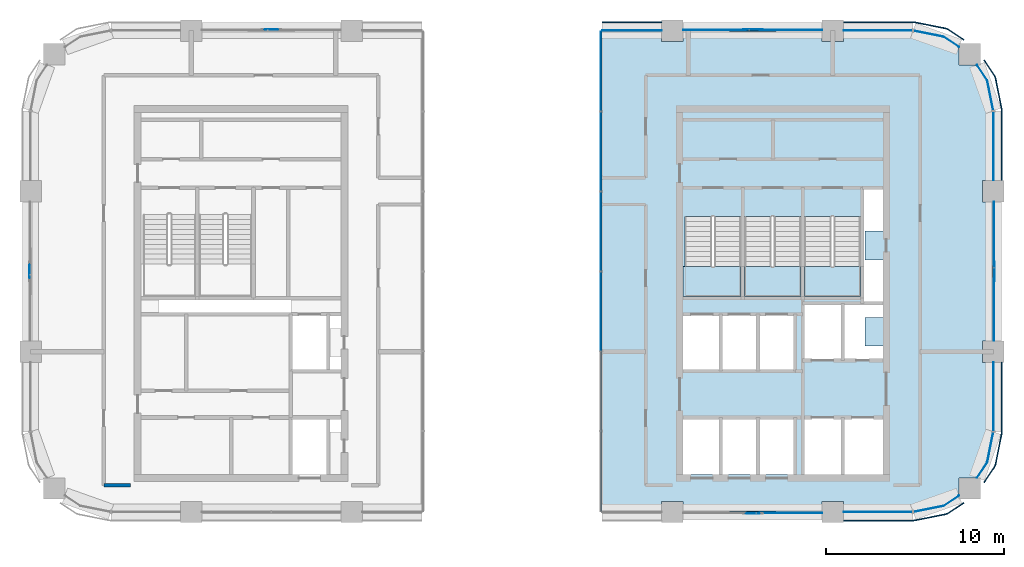
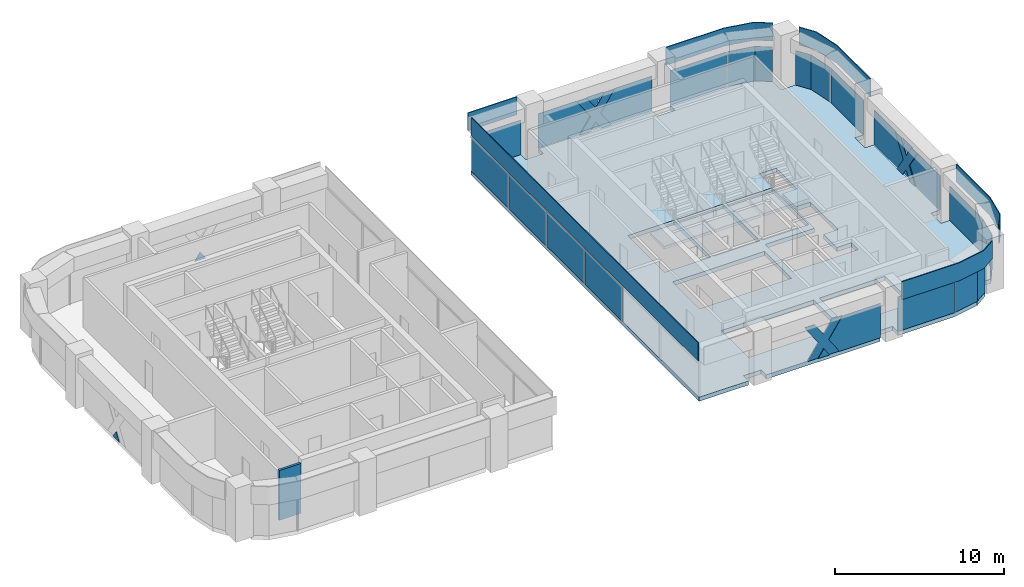
# One storey, part 5 of 16: 34 plates, 4 slabs, 1 wall, 14 elements without a shape of their own.
"""IFC4 building model written with IfcOpenShell, lengths in metres."""

from ifc_helpers import new_model, si_unit, direction, frame, frame_2d, origin, origin_2d, place, context, subcontext, project, spatial, polyline, rectangle, outline, extrude, material, layer, layer_set, type_object, element, aggregate, save


model = new_model("IFC4")

# Units and contexts
model_context = context("Model", 3, precision=1e-05, world=origin(), true_north=direction((0.0, 1.0)))
body_context = subcontext(model_context, "Body", "Model", "MODEL_VIEW")
ifc_project = project(units=[si_unit("LENGTHUNIT", "METRE"), si_unit("AREAUNIT", "SQUARE_METRE"), si_unit("VOLUMEUNIT", "CUBIC_METRE"), si_unit("PLANEANGLEUNIT", "RADIAN"), si_unit("MASSUNIT", "GRAM", prefix="KILO")], contexts=[model_context])

# Site, building, storey
site_placement = place(None, origin())
site = spatial("IfcSite", under=ifc_project, at=site_placement, CompositionType="ELEMENT")
building_placement = place(site_placement, origin())
building = spatial("IfcBuilding", under=site, at=building_placement, Name="Tessera Arch", CompositionType="ELEMENT")
storey_placement = place(building_placement, frame((0.0, 0.0, 218.89990234375)))
storey = spatial("IfcBuildingStorey", under=building, at=storey_placement, Name="L52", CompositionType="ELEMENT", Elevation=218.89990234375)

# Curtain wall, plates
ifc_material_1 = material(Name="CW1 curtain wall")
curtain_wall_type_1 = type_object("IfcCurtainWallType", Name="CW1 curtain wall", PredefinedType="NOTDEFINED", material=ifc_material_1)
curtain_wall_1_placement = place(storey_placement, origin())
curtain_wall_1 = element("IfcCurtainWall", 1, at=curtain_wall_1_placement, inside=storey, type_object=curtain_wall_type_1, Name="CW1 curtain wall N54.32/2 L52", PredefinedType="NOTDEFINED")
ifc_material_2 = material(Name="Clear low-e glass", Category="glass")
ifc_material_3 = material(Name="Clear low-e glass", Category="glass")
ifc_layer_1 = layer(ifc_material_3, 0.028076171875)
ifc_layer_set_1 = layer_set([ifc_layer_1], Name="CW1 glass panel")
plate_type_1 = type_object("IfcPlateType", Name="CW1 glass panel", PredefinedType="CURTAIN_PANEL", material=ifc_layer_set_1)
plate_1_placement = place(storey_placement, frame((33.72509765625, 54.0, 0.0), z_axis=(0.0, 0.0, 1.0), x_axis=(-1.0, 0.0, 0.0)))
plate_1 = element("IfcPlate", 2, at=plate_1_placement, type_object=plate_type_1, material=ifc_material_2, Name="CW1 glass panel N54.32/2 1.1.1", PredefinedType="CURTAIN_PANEL", context=body_context, shape_type="SweptSolid", body=[
    extrude(rectangle(XDim=3.35009765625, YDim=0.028076171875, at=origin_2d()), origin(), (0.0, 0.0, 1.0), 2.5),
])
ifc_material_4 = material(Name="Pale anodised aluminium panel", Category="aluminium")
ifc_layer_2 = layer(ifc_material_4, 0.06005859375)
ifc_layer_set_2 = layer_set([ifc_layer_2], Name="CW1 spandrel panel")
plate_type_2 = type_object("IfcPlateType", Name="CW1 spandrel panel", PredefinedType="CURTAIN_PANEL", material=ifc_layer_set_2)
plate_2_placement = place(storey_placement, frame((33.72509765625, 54.47998046875, 2.60009765625), z_axis=(0.0, 0.0, 1.0), x_axis=(-1.0, 0.0, 0.0)))
plate_2 = element("IfcPlate", 3, at=plate_2_placement, type_object=plate_type_2, Name="CW1 spandrel panel N54.32/2", PredefinedType="CURTAIN_PANEL", context=body_context, shape_type="SweptSolid", body=[
    extrude(rectangle(XDim=3.35009765625, YDim=0.06005859375, at=origin_2d()), origin(), (0.0, 0.0, 1.0), 1.300048828125),
])
aggregate(curtain_wall_1, [plate_1, plate_2])

ifc_material_5 = material(Name="CW2 curtain wall")
curtain_wall_type_2 = type_object("IfcCurtainWallType", Name="CW2 curtain wall", PredefinedType="NOTDEFINED", material=ifc_material_5)
curtain_wall_2_placement = place(storey_placement, origin())
curtain_wall_2 = element("IfcCurtainWall", 4, at=curtain_wall_2_placement, inside=storey, type_object=curtain_wall_type_2, Name="CW2 curtain wall S27.32/2 L52", PredefinedType="NOTDEFINED")
ifc_material_6 = material(Name="Clear low-e glass", Category="glass")
ifc_layer_3 = layer(ifc_material_6, 0.028076171875)
ifc_layer_set_3 = layer_set([ifc_layer_3], Name="CW2 glass panel")
plate_type_3 = type_object("IfcPlateType", Name="CW2 glass panel", PredefinedType="CURTAIN_PANEL", material=ifc_layer_set_3)
plate_3_placement = place(storey_placement, frame((47.530029296875, 27.0, 0.0), z_axis=(0.0, 0.0, 1.0), x_axis=(1.0, 0.0, 0.0)))
plate_3 = element("IfcPlate", 5, at=plate_3_placement, type_object=plate_type_3, material=ifc_material_2, Name="CW2 glass panel S27.32/2 1.1", PredefinedType="CURTAIN_PANEL", context=body_context, shape_type="SweptSolid", body=[
    extrude(rectangle(XDim=3.860107421875, YDim=0.028076171875, at=origin_2d()), origin(), (0.0, 0.0, 1.0), 2.5),
])
plate_4_placement = place(storey_placement, origin())
plate_4 = element("IfcPlate", 6, at=plate_4_placement, type_object=plate_type_3, material=ifc_material_2, Name="CW2 curved glass panel S27.32/2 2.1", PredefinedType="CURTAIN_PANEL", context=body_context, shape_type="SweptSolid", body=[
    extrude(outline(polyline([(51.216552734375, 27.355712890625), (49.53662109375, 27.021484375), (49.5419921875, 26.994140625), (51.2275390625, 27.329345703125), (52.08984375, 27.905517578125), (52.07421875, 27.9287109375), (51.216552734375, 27.355712890625)])), origin(), (0.0, 0.0, 1.0), 2.5),
])

curtain_wall_3_placement = place(storey_placement, origin())
curtain_wall_3 = element("IfcCurtainWall", 7, at=curtain_wall_3_placement, inside=storey, type_object=curtain_wall_type_2, Name="CW2 curtain wall E54.27/0 L52", PredefinedType="NOTDEFINED")
plate_5_placement = place(storey_placement, frame((54.0, 33.469970703125, 0.0), z_axis=(0.0, 0.0, 1.0), x_axis=(0.0, 1.0, 0.0)))
plate_5 = element("IfcPlate", 8, at=plate_5_placement, type_object=plate_type_3, material=ifc_material_2, Name="CW2 glass panel E54.27/0 1.1", PredefinedType="CURTAIN_PANEL", context=body_context, shape_type="SweptSolid", body=[
    extrude(rectangle(XDim=3.860107421875, YDim=0.028076171875, at=origin_2d()), origin(), (0.0, 0.0, 1.0), 2.5),
])
plate_6_placement = place(storey_placement, origin())
plate_6 = element("IfcPlate", 9, at=plate_6_placement, type_object=plate_type_3, material=ifc_material_2, Name="CW2 curved glass panel E54.27/0 2.1", PredefinedType="CURTAIN_PANEL", context=body_context, shape_type="SweptSolid", body=[
    extrude(outline(polyline([(53.644287109375, 29.783447265625), (53.0712890625, 28.92578125), (53.094482421875, 28.91015625), (53.670654296875, 29.7724609375), (54.005859375, 31.4580078125), (53.978515625, 31.46337890625), (53.644287109375, 29.783447265625)])), origin(), (0.0, 0.0, 1.0), 2.5),
])

curtain_wall_4_placement = place(storey_placement, origin())
curtain_wall_4 = element("IfcCurtainWall", 10, at=curtain_wall_4_placement, inside=storey, type_object=curtain_wall_type_2, Name="CW2 curtain wall E54.27/2 L52", PredefinedType="NOTDEFINED")
plate_7_placement = place(storey_placement, frame((54.0, 47.530029296875, 0.0), z_axis=(0.0, 0.0, 1.0), x_axis=(0.0, 1.0, 0.0)))
plate_7 = element("IfcPlate", 11, at=plate_7_placement, type_object=plate_type_3, material=ifc_material_2, Name="CW2 glass panel E54.27/2 1.1", PredefinedType="CURTAIN_PANEL", context=body_context, shape_type="SweptSolid", body=[
    extrude(rectangle(XDim=3.860107421875, YDim=0.028076171875, at=origin_2d()), origin(), (0.0, 0.0, 1.0), 2.5),
])
plate_8_placement = place(storey_placement, origin())
plate_8 = element("IfcPlate", 12, at=plate_8_placement, type_object=plate_type_3, material=ifc_material_2, Name="CW2 curved glass panel E54.27/2 2.1", PredefinedType="CURTAIN_PANEL", context=body_context, shape_type="SweptSolid", body=[
    extrude(outline(polyline([(53.644287109375, 51.216552734375), (53.978515625, 49.53662109375), (54.005859375, 49.5419921875), (53.670654296875, 51.2275390625), (53.094482421875, 52.08984375), (53.0712890625, 52.07421875), (53.644287109375, 51.216552734375)])), origin(), (0.0, 0.0, 1.0), 2.5),
])

curtain_wall_5_placement = place(storey_placement, origin())
curtain_wall_5 = element("IfcCurtainWall", 13, at=curtain_wall_5_placement, inside=storey, type_object=curtain_wall_type_2, Name="CW2 curtain wall N54.32/0 L52", PredefinedType="NOTDEFINED")
plate_9_placement = place(storey_placement, frame((47.530029296875, 54.0, 0.0), z_axis=(0.0, 0.0, 1.0), x_axis=(-1.0, 0.0, 0.0)))
plate_9 = element("IfcPlate", 14, at=plate_9_placement, type_object=plate_type_3, material=ifc_material_2, Name="CW2 glass panel N54.32/0 1.1", PredefinedType="CURTAIN_PANEL", context=body_context, shape_type="SweptSolid", body=[
    extrude(rectangle(XDim=3.860107421875, YDim=0.028076171875, at=origin_2d()), origin(), (0.0, 0.0, 1.0), 2.5),
])
plate_10_placement = place(storey_placement, origin())
plate_10 = element("IfcPlate", 15, at=plate_10_placement, type_object=plate_type_3, material=ifc_material_2, Name="CW2 curved glass panel N54.32/0 2.1", PredefinedType="CURTAIN_PANEL", context=body_context, shape_type="SweptSolid", body=[
    extrude(outline(polyline([(51.216552734375, 53.644287109375), (52.07421875, 53.0712890625), (52.08984375, 53.094482421875), (51.2275390625, 53.670654296875), (49.5419921875, 54.005859375), (49.53662109375, 53.978515625), (51.216552734375, 53.644287109375)])), origin(), (0.0, 0.0, 1.0), 2.5),
])

# Plate
ifc_material_7 = material(Name="Pale anodised aluminium panel", Category="aluminium")
ifc_layer_4 = layer(ifc_material_7, 0.06005859375)
ifc_layer_set_4 = layer_set([ifc_layer_4], Name="CW2 spandrel panel")
plate_type_4 = type_object("IfcPlateType", Name="CW2 spandrel panel", PredefinedType="CURTAIN_PANEL", material=ifc_layer_set_4)
plate_11_placement = place(storey_placement, frame((0.0, 0.0, 2.60009765625)))
plate_11 = element("IfcPlate", 16, at=plate_11_placement, type_object=plate_type_4, Name="CW2 spandrel panel S27.32/2", PredefinedType="CURTAIN_PANEL", context=body_context, shape_type="SweptSolid", body=[
    extrude(outline(polyline([(49.499267578125, 26.550048828125), (45.60009765625, 26.550048828125), (45.60009765625, 26.489990234375), (49.500732421875, 26.489990234375), (49.550048828125, 26.492431640625), (49.598876953125, 26.499755859375), (51.322265625, 26.842529296875), (51.3701171875, 26.8544921875), (51.417236328125, 26.871337890625), (51.462646484375, 26.892578125), (51.5048828125, 26.91796875), (52.365234375, 27.4931640625), (52.33203125, 27.54296875), (51.47265625, 26.96875), (51.434326171875, 26.945556640625), (51.394287109375, 26.9267578125), (51.352783203125, 26.911865234375), (51.30908203125, 26.90087890625), (49.588623046875, 26.558837890625), (49.544189453125, 26.55224609375), (49.499267578125, 26.550048828125)])), origin(), (0.0, 0.0, 1.0), 1.300048828125),
])

aggregate(curtain_wall_2, [plate_3, plate_4, plate_11])

plate_12_placement = place(storey_placement, frame((0.0, 0.0, 2.60009765625)))
plate_12 = element("IfcPlate", 17, at=plate_12_placement, type_object=plate_type_4, Name="CW2 spandrel panel E54.27/0", PredefinedType="CURTAIN_PANEL", context=body_context, shape_type="SweptSolid", body=[
    extrude(outline(polyline([(54.03125, 29.52734375), (53.45703125, 28.66796875), (53.5068359375, 28.634765625), (54.08203125, 29.4951171875), (54.107421875, 29.537353515625), (54.128662109375, 29.582763671875), (54.1455078125, 29.6298828125), (54.157470703125, 29.677734375), (54.500244140625, 31.401123046875), (54.507568359375, 31.449951171875), (54.510009765625, 31.499267578125), (54.510009765625, 35.39990234375), (54.449951171875, 35.39990234375), (54.449951171875, 31.500732421875), (54.44775390625, 31.455810546875), (54.441162109375, 31.411376953125), (54.09912109375, 29.69091796875), (54.088134765625, 29.647216796875), (54.0732421875, 29.605712890625), (54.054443359375, 29.565673828125), (54.03125, 29.52734375)])), origin(), (0.0, 0.0, 1.0), 1.300048828125),
])

aggregate(curtain_wall_3, [plate_5, plate_6, plate_12])

plate_13_placement = place(storey_placement, frame((0.0, 0.0, 2.60009765625)))
plate_13 = element("IfcPlate", 18, at=plate_13_placement, type_object=plate_type_4, Name="CW2 spandrel panel E54.27/2", PredefinedType="CURTAIN_PANEL", context=body_context, shape_type="SweptSolid", body=[
    extrude(outline(polyline([(54.449951171875, 49.499267578125), (54.449951171875, 45.60009765625), (54.510009765625, 45.60009765625), (54.510009765625, 49.500732421875), (54.507568359375, 49.550048828125), (54.500244140625, 49.598876953125), (54.157470703125, 51.322265625), (54.1455078125, 51.3701171875), (54.128662109375, 51.417236328125), (54.107421875, 51.462646484375), (54.08203125, 51.5048828125), (53.5068359375, 52.365234375), (53.45703125, 52.33203125), (54.03125, 51.47265625), (54.054443359375, 51.434326171875), (54.0732421875, 51.394287109375), (54.088134765625, 51.352783203125), (54.09912109375, 51.30908203125), (54.441162109375, 49.588623046875), (54.44775390625, 49.544189453125), (54.449951171875, 49.499267578125)])), origin(), (0.0, 0.0, 1.0), 1.300048828125),
])

aggregate(curtain_wall_4, [plate_7, plate_8, plate_13])

plate_14_placement = place(storey_placement, frame((0.0, 0.0, 2.60009765625)))
plate_14 = element("IfcPlate", 19, at=plate_14_placement, type_object=plate_type_4, Name="CW2 spandrel panel N54.32/0", PredefinedType="CURTAIN_PANEL", context=body_context, shape_type="SweptSolid", body=[
    extrude(outline(polyline([(51.47265625, 54.03125), (52.33203125, 53.45703125), (52.365234375, 53.5068359375), (51.5048828125, 54.08203125), (51.462646484375, 54.107421875), (51.417236328125, 54.128662109375), (51.3701171875, 54.1455078125), (51.322265625, 54.157470703125), (49.598876953125, 54.500244140625), (49.550048828125, 54.507568359375), (49.500732421875, 54.510009765625), (45.60009765625, 54.510009765625), (45.60009765625, 54.449951171875), (49.499267578125, 54.449951171875), (49.544189453125, 54.44775390625), (49.588623046875, 54.441162109375), (51.30908203125, 54.09912109375), (51.352783203125, 54.088134765625), (51.394287109375, 54.0732421875), (51.434326171875, 54.054443359375), (51.47265625, 54.03125)])), origin(), (0.0, 0.0, 1.0), 1.300048828125),
])

aggregate(curtain_wall_5, [plate_9, plate_10, plate_14])

# Curtain wall, plate
ifc_material_8 = material(Name="CW3 curtain wall")
curtain_wall_type_3 = type_object("IfcCurtainWallType", Name="CW3 curtain wall", PredefinedType="NOTDEFINED", material=ifc_material_8)
curtain_wall_6_placement = place(storey_placement, origin())
curtain_wall_6 = element("IfcCurtainWall", 20, at=curtain_wall_6_placement, inside=storey, type_object=curtain_wall_type_3, Name="CW3 curtain wall S27.32/1 L52", PredefinedType="NOTDEFINED")
ifc_material_9 = material(Name="Pale anodised aluminium panel", Category="aluminium")
ifc_layer_5 = layer(ifc_material_9, 0.06005859375)
ifc_layer_set_5 = layer_set([ifc_layer_5], Name="CW3 diagonal panel")
plate_type_5 = type_object("IfcPlateType", Name="CW3 diagonal panel", PredefinedType="CURTAIN_PANEL", material=ifc_layer_set_5)
plate_15_placement = place(storey_placement, frame((41.7890625, 26.969970703125, 2.5), z_axis=(0.0, -1.0, 0.0), x_axis=(-1.0, 0.0, 0.0)))
plate_15 = element("IfcPlate", 21, at=plate_15_placement, type_object=plate_type_5, Name="CW3 diagonal panel S27.32/1 1", PredefinedType="CURTAIN_PANEL", context=body_context, shape_type="SweptSolid", body=[
    extrude(outline(polyline([(0.0, 0.0), (0.6953125, 0.0), (1.2890625, 0.8828125), (1.8828125, 0.0), (2.578125, 0.0), (1.63671875, 1.39990234375), (2.37646484375, 2.5), (1.680908203125, 2.5), (1.2890625, 1.9169921875), (0.897216796875, 2.5), (0.20166015625, 2.5), (0.94140625, 1.39990234375), (0.0, 0.0)])), origin(), (0.0, 0.0, -1.0), 0.06005859375),
])

curtain_wall_7_placement = place(storey_placement, origin())
curtain_wall_7 = element("IfcCurtainWall", 22, at=curtain_wall_7_placement, inside=storey, type_object=curtain_wall_type_3, Name="CW3 curtain wall E54.27/1 L52", PredefinedType="NOTDEFINED")
plate_16_placement = place(storey_placement, frame((54.030029296875, 41.7890625, 2.5), z_axis=(1.0, 0.0, 0.0), x_axis=(0.0, -1.0, 0.0)))
plate_16 = element("IfcPlate", 23, at=plate_16_placement, type_object=plate_type_5, Name="CW3 diagonal panel E54.27/1 1", PredefinedType="CURTAIN_PANEL", context=body_context, shape_type="SweptSolid", body=[
    extrude(outline(polyline([(0.0, 0.0), (0.6953125, 0.0), (1.2890625, 0.8828125), (1.8828125, 0.0), (2.578125, 0.0), (1.63671875, 1.39990234375), (2.37646484375, 2.5), (1.680908203125, 2.5), (1.2890625, 1.9169921875), (0.897216796875, 2.5), (0.20166015625, 2.5), (0.94140625, 1.39990234375), (0.0, 0.0)])), origin(), (0.0, 0.0, -1.0), 0.06005859375),
])

curtain_wall_8_placement = place(storey_placement, origin())
curtain_wall_8 = element("IfcCurtainWall", 24, at=curtain_wall_8_placement, inside=storey, type_object=curtain_wall_type_3, Name="CW3 curtain wall N54.32/1 L52", PredefinedType="NOTDEFINED")
plate_17_placement = place(storey_placement, frame((39.2109375, 54.030029296875, 2.5), z_axis=(0.0, 1.0, 0.0), x_axis=(1.0, 0.0, 0.0)))
plate_17 = element("IfcPlate", 25, at=plate_17_placement, type_object=plate_type_5, Name="CW3 diagonal panel N54.32/1 1", PredefinedType="CURTAIN_PANEL", context=body_context, shape_type="SweptSolid", body=[
    extrude(outline(polyline([(0.0, 0.0), (0.6953125, 0.0), (1.2890625, 0.8828125), (1.8828125, 0.0), (2.578125, 0.0), (1.63671875, 1.39990234375), (2.37646484375, 2.5), (1.680908203125, 2.5), (1.2890625, 1.9169921875), (0.897216796875, 2.5), (0.20166015625, 2.5), (0.94140625, 1.39990234375), (0.0, 0.0)])), origin(), (0.0, 0.0, -1.0), 0.06005859375),
])

curtain_wall_9_placement = place(storey_placement, origin())
curtain_wall_9 = element("IfcCurtainWall", 26, at=curtain_wall_9_placement, inside=storey, type_object=curtain_wall_type_3, Name="CW3 curtain wall N54.0/1 L52", PredefinedType="NOTDEFINED")
ifc_material_10 = material(Name="Clear low-e glass", Category="glass")
ifc_layer_6 = layer(ifc_material_10, 0.028076171875)
ifc_layer_set_6 = layer_set([ifc_layer_6], Name="CW3 glass panel")
plate_type_6 = type_object("IfcPlateType", Name="CW3 glass panel", PredefinedType="CURTAIN_PANEL", material=ifc_layer_set_6)
plate_18_placement = place(storey_placement, frame((13.891845703125, 54.0859375, 0.0), z_axis=(0.0, 1.0, 0.0), x_axis=(-1.0, 0.0, 0.0)))
plate_18 = element("IfcPlate", 27, at=plate_18_placement, type_object=plate_type_6, material=ifc_material_2, Name="CW3 triangulated glass panel N54.0/1 2", PredefinedType="CURTAIN_PANEL", context=body_context, shape_type="SweptSolid", body=[
    extrude(outline(polyline([(0.0, 0.0), (0.78369140625, 0.0), (0.391845703125, 0.5830078125), (0.0, 0.0)])), origin(), (0.0, 0.0, -1.0), 0.028076171875),
])
aggregate(curtain_wall_9, [plate_18])

curtain_wall_10_placement = place(storey_placement, origin())
curtain_wall_10 = element("IfcCurtainWall", 28, at=curtain_wall_10_placement, inside=storey, type_object=curtain_wall_type_3, Name="CW3 curtain wall W0.27/1 L52", PredefinedType="NOTDEFINED")
plate_19_placement = place(storey_placement, frame((-0.0859375, 40.891845703125, 0.0), z_axis=(-1.0, 0.0, 0.0), x_axis=(0.0, -1.0, 0.0)))
plate_19 = element("IfcPlate", 29, at=plate_19_placement, type_object=plate_type_6, material=ifc_material_2, Name="CW3 triangulated glass panel W0.27/1 2", PredefinedType="CURTAIN_PANEL", context=body_context, shape_type="SweptSolid", body=[
    extrude(outline(polyline([(0.0, 0.0), (0.78369140625, 0.0), (0.391845703125, 0.5830078125), (0.0, 0.0)])), origin(), (0.0, 0.0, -1.0), 0.028076171875),
])
aggregate(curtain_wall_10, [plate_19])

# Plate
plate_20_placement = place(storey_placement, frame((40.108154296875, 26.9140625, 0.0), z_axis=(0.0, -1.0, 0.0), x_axis=(1.0, 0.0, 0.0)))
plate_20 = element("IfcPlate", 30, at=plate_20_placement, type_object=plate_type_6, material=ifc_material_2, Name="CW3 triangulated glass panel S27.32/1 2", PredefinedType="CURTAIN_PANEL", context=body_context, shape_type="SweptSolid", body=[
    extrude(outline(polyline([(0.0, 0.0), (0.78369140625, 0.0), (0.391845703125, 0.5830078125), (0.0, 0.0)])), origin(), (0.0, 0.0, -1.0), 0.028076171875),
])

plate_21_placement = place(storey_placement, frame((44.39990234375, 26.94189453125, 2.5), z_axis=(0.0, -1.0, 0.0), x_axis=(-1.0, 0.0, 0.0)))
plate_21 = element("IfcPlate", 31, at=plate_21_placement, type_object=plate_type_6, material=ifc_material_2, Name="CW3 triangulated glass panel S27.32/1 4", PredefinedType="CURTAIN_PANEL", context=body_context, shape_type="SweptSolid", body=[
    extrude(outline(polyline([(0.0, 0.0), (2.61083984375, 0.0), (3.55224609375, 1.39990234375), (2.8125, 2.5), (0.0, 2.5), (0.0, 0.0)])), origin(), (0.0, 0.0, -1.0), 0.028076171875),
])

aggregate(curtain_wall_6, [plate_20, plate_21, plate_15])

plate_22_placement = place(storey_placement, frame((54.05810546875, 36.60009765625, 0.0), z_axis=(1.0, 0.0, 0.0), x_axis=(0.0, 1.0, 0.0)))
plate_22 = element("IfcPlate", 32, at=plate_22_placement, type_object=plate_type_6, material=ifc_material_2, Name="CW3 triangulated glass panel E54.27/1 1", PredefinedType="CURTAIN_PANEL", context=body_context, shape_type="SweptSolid", body=[
    extrude(outline(polyline([(0.0, 0.0), (2.8125, 0.0), (3.55224609375, 1.10009765625), (2.61083984375, 2.5), (0.0, 2.5), (0.0, 0.0)])), origin(), (0.0, 0.0, -1.0), 0.028076171875),
])

plate_23_placement = place(storey_placement, frame((54.0859375, 40.108154296875, 0.0), z_axis=(1.0, 0.0, 0.0), x_axis=(0.0, 1.0, 0.0)))
plate_23 = element("IfcPlate", 33, at=plate_23_placement, type_object=plate_type_6, material=ifc_material_2, Name="CW3 triangulated glass panel E54.27/1 2", PredefinedType="CURTAIN_PANEL", context=body_context, shape_type="SweptSolid", body=[
    extrude(outline(polyline([(0.0, 0.0), (0.78369140625, 0.0), (0.391845703125, 0.5830078125), (0.0, 0.0)])), origin(), (0.0, 0.0, -1.0), 0.028076171875),
])

plate_24_placement = place(storey_placement, frame((54.0859375, 41.09375, 2.5), z_axis=(1.0, 0.0, 0.0), x_axis=(0.0, -1.0, 0.0)))
plate_24 = element("IfcPlate", 34, at=plate_24_placement, type_object=plate_type_6, material=ifc_material_2, Name="CW3 triangulated glass panel E54.27/1 3", PredefinedType="CURTAIN_PANEL", context=body_context, shape_type="SweptSolid", body=[
    extrude(outline(polyline([(0.0, 0.0), (1.1875, 0.0), (0.59375, 0.8828125), (0.0, 0.0)])), origin(), (0.0, 0.0, -1.0), 0.028076171875),
])

plate_25_placement = place(storey_placement, frame((54.05810546875, 44.39990234375, 2.5), z_axis=(1.0, 0.0, 0.0), x_axis=(0.0, -1.0, 0.0)))
plate_25 = element("IfcPlate", 35, at=plate_25_placement, type_object=plate_type_6, material=ifc_material_2, Name="CW3 triangulated glass panel E54.27/1 4", PredefinedType="CURTAIN_PANEL", context=body_context, shape_type="SweptSolid", body=[
    extrude(outline(polyline([(0.0, 0.0), (2.61083984375, 0.0), (3.55224609375, 1.39990234375), (2.8125, 2.5), (0.0, 2.5), (0.0, 0.0)])), origin(), (0.0, 0.0, -1.0), 0.028076171875),
])

aggregate(curtain_wall_7, [plate_22, plate_23, plate_24, plate_25, plate_16])

plate_26_placement = place(storey_placement, frame((44.39990234375, 54.05810546875, 0.0), z_axis=(0.0, 1.0, 0.0), x_axis=(-1.0, 0.0, 0.0)))
plate_26 = element("IfcPlate", 36, at=plate_26_placement, type_object=plate_type_6, material=ifc_material_2, Name="CW3 triangulated glass panel N54.32/1 1", PredefinedType="CURTAIN_PANEL", context=body_context, shape_type="SweptSolid", body=[
    extrude(outline(polyline([(0.0, 0.0), (2.8125, 0.0), (3.55224609375, 1.10009765625), (2.61083984375, 2.5), (0.0, 2.5), (0.0, 0.0)])), origin(), (0.0, 0.0, -1.0), 0.028076171875),
])

plate_27_placement = place(storey_placement, frame((40.891845703125, 54.0859375, 0.0), z_axis=(0.0, 1.0, 0.0), x_axis=(-1.0, 0.0, 0.0)))
plate_27 = element("IfcPlate", 37, at=plate_27_placement, type_object=plate_type_6, material=ifc_material_2, Name="CW3 triangulated glass panel N54.32/1 2", PredefinedType="CURTAIN_PANEL", context=body_context, shape_type="SweptSolid", body=[
    extrude(outline(polyline([(0.0, 0.0), (0.78369140625, 0.0), (0.391845703125, 0.5830078125), (0.0, 0.0)])), origin(), (0.0, 0.0, -1.0), 0.028076171875),
])

plate_28_placement = place(storey_placement, frame((39.90625, 54.0859375, 2.5), z_axis=(0.0, 1.0, 0.0), x_axis=(1.0, 0.0, 0.0)))
plate_28 = element("IfcPlate", 38, at=plate_28_placement, type_object=plate_type_6, material=ifc_material_2, Name="CW3 triangulated glass panel N54.32/1 3", PredefinedType="CURTAIN_PANEL", context=body_context, shape_type="SweptSolid", body=[
    extrude(outline(polyline([(0.0, 0.0), (1.1875, 0.0), (0.59375, 0.8828125), (0.0, 0.0)])), origin(), (0.0, 0.0, -1.0), 0.028076171875),
])

plate_29_placement = place(storey_placement, frame((36.60009765625, 54.05810546875, 2.5), z_axis=(0.0, 1.0, 0.0), x_axis=(1.0, 0.0, 0.0)))
plate_29 = element("IfcPlate", 39, at=plate_29_placement, type_object=plate_type_6, material=ifc_material_2, Name="CW3 triangulated glass panel N54.32/1 4", PredefinedType="CURTAIN_PANEL", context=body_context, shape_type="SweptSolid", body=[
    extrude(outline(polyline([(0.0, 0.0), (2.61083984375, 0.0), (3.55224609375, 1.39990234375), (2.8125, 2.5), (0.0, 2.5), (0.0, 0.0)])), origin(), (0.0, 0.0, -1.0), 0.028076171875),
])

aggregate(curtain_wall_8, [plate_26, plate_27, plate_28, plate_29, plate_17])

# Curtain wall, plates
ifc_material_11 = material(Name="CW5 curtain wall")
curtain_wall_type_4 = type_object("IfcCurtainWallType", Name="CW5 curtain wall", PredefinedType="NOTDEFINED", material=ifc_material_11)
curtain_wall_11_placement = place(storey_placement, origin())
curtain_wall_11 = element("IfcCurtainWall", 40, at=curtain_wall_11_placement, inside=storey, type_object=curtain_wall_type_4, Name="CW5 curtain wall W32.27/0 L52", PredefinedType="NOTDEFINED")
ifc_material_12 = material(Name="Clear low-e glass", Category="glass")
ifc_layer_7 = layer(ifc_material_12, 0.028076171875)
ifc_layer_set_7 = layer_set([ifc_layer_7], Name="CW5 glass panel")
plate_type_7 = type_object("IfcPlateType", Name="CW5 glass panel", PredefinedType="CURTAIN_PANEL", material=ifc_layer_set_7)
plate_30_placement = place(storey_placement, frame((32.0, 51.728271484375, 0.0), z_axis=(0.0, 0.0, 1.0), x_axis=(0.0, -1.0, 0.0)))
plate_30 = element("IfcPlate", 41, at=plate_30_placement, type_object=plate_type_7, material=ifc_material_2, Name="CW5 glass panel W32.27/0 1.1.1", PredefinedType="CURTAIN_PANEL", context=body_context, shape_type="SweptSolid", body=[
    extrude(rectangle(XDim=4.443359375, YDim=0.028076171875, at=origin_2d()), origin(), (0.0, 0.0, 1.0), 2.5),
])
plate_31_placement = place(storey_placement, frame((32.0, 47.22509765625, 0.0), z_axis=(0.0, 0.0, 1.0), x_axis=(0.0, -1.0, 0.0)))
plate_31 = element("IfcPlate", 42, at=plate_31_placement, type_object=plate_type_7, material=ifc_material_2, Name="CW5 glass panel W32.27/0 1.2.1", PredefinedType="CURTAIN_PANEL", context=body_context, shape_type="SweptSolid", body=[
    extrude(rectangle(XDim=4.4033203125, YDim=0.028076171875, at=origin_2d()), origin(), (0.0, 0.0, 1.0), 2.5),
])
plate_32_placement = place(storey_placement, frame((32.0, 42.74169921875, 0.0), z_axis=(0.0, 0.0, 1.0), x_axis=(0.0, -1.0, 0.0)))
plate_32 = element("IfcPlate", 43, at=plate_32_placement, type_object=plate_type_7, material=ifc_material_2, Name="CW5 glass panel W32.27/0 1.3.1", PredefinedType="CURTAIN_PANEL", context=body_context, shape_type="SweptSolid", body=[
    extrude(rectangle(XDim=4.4033203125, YDim=0.028076171875, at=origin_2d()), origin(), (0.0, 0.0, 1.0), 2.5),
])
plate_33_placement = place(storey_placement, frame((32.0, 38.25830078125, 0.0), z_axis=(0.0, 0.0, 1.0), x_axis=(0.0, -1.0, 0.0)))
plate_33 = element("IfcPlate", 44, at=plate_33_placement, type_object=plate_type_7, material=ifc_material_2, Name="CW5 glass panel W32.27/0 1.4.1", PredefinedType="CURTAIN_PANEL", context=body_context, shape_type="SweptSolid", body=[
    extrude(rectangle(XDim=4.4033203125, YDim=0.028076171875, at=origin_2d()), origin(), (0.0, 0.0, 1.0), 2.5),
])
ifc_material_13 = material(Name="Pale anodised aluminium panel", Category="aluminium")
ifc_layer_8 = layer(ifc_material_13, 0.06005859375)
ifc_layer_set_8 = layer_set([ifc_layer_8], Name="CW5 spandrel panel")
plate_type_8 = type_object("IfcPlateType", Name="CW5 spandrel panel", PredefinedType="CURTAIN_PANEL", material=ifc_layer_set_8)
plate_34_placement = place(storey_placement, frame((32.0, 40.5, 2.60009765625), z_axis=(0.0, 0.0, 1.0), x_axis=(0.0, -1.0, 0.0)))
plate_34 = element("IfcPlate", 45, at=plate_34_placement, type_object=plate_type_8, Name="CW5 spandrel panel W32.27/0", PredefinedType="CURTAIN_PANEL", context=body_context, shape_type="SweptSolid", body=[
    extrude(rectangle(XDim=26.89990234375, YDim=0.06005859375, at=origin_2d()), origin(), (0.0, 0.0, 1.0), 1.300048828125),
])
aggregate(curtain_wall_11, [plate_30, plate_31, plate_32, plate_33, plate_34])

# Slab
ifc_material_14 = material(Name="Concrete C40/50", Category="concrete")
ifc_layer_9 = layer(ifc_material_14, 0.300048828125)
ifc_layer_set_9 = layer_set([ifc_layer_9], Name="Floor slab 300 Concrete C40/50")
slab_type_1 = type_object("IfcSlabType", Name="Floor slab 300 Concrete C40/50", PredefinedType="FLOOR", material=ifc_layer_set_9)
slab_1_placement = place(storey_placement, frame((0.0, 0.0, -0.2998046875)))
element("IfcSlab", 46, at=slab_1_placement, inside=storey, type_object=slab_type_1, Name="Floor slab L52 2", PredefinedType="FLOOR", context=body_context, shape_type="SweptSolid", body=[
    extrude(outline(polyline([(51.22216796875, 53.657470703125), (52.08203125, 53.0830078125), (52.08203125, 52.08203125), (53.0830078125, 52.08203125), (53.657470703125, 51.22216796875), (54.0, 49.5), (54.0, 45.60009765625), (53.39990234375, 45.60009765625), (53.39990234375, 44.39990234375), (54.0, 44.39990234375), (54.0, 36.60009765625), (53.39990234375, 36.60009765625), (53.39990234375, 35.39990234375), (54.0, 35.39990234375), (54.0, 31.5), (53.657470703125, 29.77783203125), (53.0830078125, 28.91796875), (52.08203125, 28.91796875), (52.08203125, 27.9169921875), (51.22216796875, 27.342529296875), (49.5, 27.0), (45.60009765625, 27.0), (45.60009765625, 27.60009765625), (44.39990234375, 27.60009765625), (44.39990234375, 27.0), (36.60009765625, 27.0), (36.60009765625, 27.60009765625), (35.39990234375, 27.60009765625), (35.39990234375, 27.0), (32.0, 27.0), (32.0, 54.0), (35.39990234375, 54.0), (35.39990234375, 53.39990234375), (36.60009765625, 53.39990234375), (36.60009765625, 54.0), (44.39990234375, 54.0), (44.39990234375, 53.39990234375), (45.60009765625, 53.39990234375), (45.60009765625, 54.0), (49.5, 54.0), (51.22216796875, 53.657470703125)]), holes=[polyline([(36.60009765625, 29.10009765625), (38.699951171875, 29.10009765625), (40.800048828125, 29.10009765625), (42.89990234375, 29.10009765625), (42.89990234375, 32.300048828125), (40.800048828125, 32.300048828125), (38.699951171875, 32.300048828125), (36.60009765625, 32.300048828125), (36.60009765625, 29.10009765625)]), polyline([(47.800048828125, 32.300048828125), (45.550048828125, 32.300048828125), (43.300048828125, 32.300048828125), (43.300048828125, 29.10009765625), (45.550048828125, 29.10009765625), (47.800048828125, 29.10009765625), (47.800048828125, 32.300048828125)]), polyline([(42.89990234375, 34.89990234375), (42.89990234375, 38.10009765625), (40.800048828125, 38.10009765625), (38.699951171875, 38.10009765625), (36.60009765625, 38.10009765625), (36.60009765625, 34.89990234375), (38.699951171875, 34.89990234375), (40.800048828125, 34.89990234375), (42.89990234375, 34.89990234375)]), polyline([(47.800048828125, 41.14990234375), (46.800048828125, 41.14990234375), (46.800048828125, 42.75), (47.800048828125, 42.75), (47.800048828125, 45.199951171875), (46.64990234375, 45.199951171875), (46.64990234375, 38.699951171875), (45.550048828125, 38.699951171875), (43.300048828125, 38.699951171875), (43.300048828125, 35.5), (45.550048828125, 35.5), (47.800048828125, 35.5), (47.800048828125, 36.300048828125), (46.800048828125, 36.300048828125), (46.800048828125, 37.89990234375), (47.800048828125, 37.89990234375), (47.800048828125, 38.699951171875), (47.800048828125, 41.14990234375)]), polyline([(36.699951171875, 43.570068359375), (36.699951171875, 39.199951171875), (39.85009765625, 39.199951171875), (39.85009765625, 43.570068359375), (38.330078125, 43.570068359375), (38.330078125, 43.580078125), (38.219970703125, 43.580078125), (38.219970703125, 43.570068359375), (36.699951171875, 43.570068359375)]), polyline([(40.050048828125, 39.199951171875), (43.199951171875, 39.199951171875), (43.199951171875, 43.570068359375), (41.679931640625, 43.570068359375), (41.679931640625, 43.580078125), (41.570068359375, 43.580078125), (41.570068359375, 43.570068359375), (40.050048828125, 43.570068359375), (40.050048828125, 39.199951171875)]), polyline([(43.39990234375, 43.570068359375), (43.39990234375, 39.199951171875), (46.550048828125, 39.199951171875), (46.550048828125, 43.570068359375), (45.030029296875, 43.570068359375), (45.030029296875, 43.580078125), (44.919921875, 43.580078125), (44.919921875, 43.570068359375), (43.39990234375, 43.570068359375)])]), origin(), (0.0, 0.0, 1.0), 0.2998046875),
])

# Stair, slab
ifc_material_15 = material(Name="Concrete C40/50", Category="concrete")
stair_type = type_object("IfcStairType", Name="Dogleg stair 1520", PredefinedType="HALF_TURN_STAIR", material=ifc_material_15)
stair_1_placement = place(storey_placement, origin())
stair_1 = element("IfcStair", 47, at=stair_1_placement, inside=storey, type_object=stair_type, Name="L52 S1a", PredefinedType="HALF_TURN_STAIR")
ifc_material_16 = material(Name="Concrete C40/50", Category="concrete")
ifc_layer_10 = layer(ifc_material_16, 0.300048828125)
ifc_layer_set_10 = layer_set([ifc_layer_10], Name="Stair landing 300")
slab_type_2 = type_object("IfcSlabType", Name="Stair landing 300", PredefinedType="LANDING", material=ifc_layer_set_10)
slab_2_placement = place(storey_placement, frame((0.0, 0.0, 1.75)))
slab_2 = element("IfcSlab", 48, at=slab_2_placement, type_object=slab_type_2, Name="S1a landing 1", PredefinedType="LANDING", context=body_context, shape_type="SweptSolid", body=[
    extrude(outline(polyline([(36.60009765625, 40.780029296875), (36.60009765625, 39.10009765625), (39.85009765625, 39.10009765625), (39.85009765625, 40.780029296875), (36.60009765625, 40.780029296875)])), origin(), (0.0, 0.0, 1.0), 0.2001953125),
])
aggregate(stair_1, [slab_2])

stair_2_placement = place(storey_placement, origin())
stair_2 = element("IfcStair", 49, at=stair_2_placement, inside=storey, type_object=stair_type, Name="L52 S1b", PredefinedType="HALF_TURN_STAIR")
slab_3_placement = place(storey_placement, frame((0.0, 0.0, 1.75)))
slab_3 = element("IfcSlab", 50, at=slab_3_placement, type_object=slab_type_2, Name="S1b landing 1", PredefinedType="LANDING", context=body_context, shape_type="SweptSolid", body=[
    extrude(outline(polyline([(40.050048828125, 40.780029296875), (40.050048828125, 39.10009765625), (43.199951171875, 39.10009765625), (43.199951171875, 40.780029296875), (40.050048828125, 40.780029296875)])), origin(), (0.0, 0.0, 1.0), 0.2001953125),
])
aggregate(stair_2, [slab_3])

stair_3_placement = place(storey_placement, origin())
stair_3 = element("IfcStair", 51, at=stair_3_placement, inside=storey, type_object=stair_type, Name="L52 S1c", PredefinedType="HALF_TURN_STAIR")
slab_4_placement = place(storey_placement, frame((0.0, 0.0, 1.75)))
slab_4 = element("IfcSlab", 52, at=slab_4_placement, type_object=slab_type_2, Name="S1c landing 1", PredefinedType="LANDING", context=body_context, shape_type="SweptSolid", body=[
    extrude(outline(polyline([(43.39990234375, 40.780029296875), (43.39990234375, 39.10009765625), (46.550048828125, 39.10009765625), (46.550048828125, 40.780029296875), (43.39990234375, 40.780029296875)])), origin(), (0.0, 0.0, 1.0), 0.2001953125),
])
aggregate(stair_3, [slab_4])

# Wall
ifc_material_17 = material(Name="Gypsum board on deep steel stud with mineral wool", Category="steel")
ifc_layer_11 = layer(ifc_material_17, 0.175048828125)
ifc_layer_set_11 = layer_set([ifc_layer_11], Name="Corridor wall 175 EI 60")
wall_type = type_object("IfcWallType", Name="Corridor wall 175 EI 60", PredefinedType="PARTITIONING", material=ifc_layer_set_11)
wall_placement = place(storey_placement, frame((4.10009765625, 28.5, 0.0), z_axis=(0.0, 0.0, 1.0), x_axis=(1.0, 0.0, 0.0)))
element("IfcWall", 53, at=wall_placement, inside=storey, type_object=wall_type, Name="L52 partition 1", PredefinedType="PARTITIONING", context=body_context, shape_type="SweptSolid", body=[
    extrude(rectangle(XDim=1.5, YDim=0.175048828125, at=frame_2d((0.75, 0.0))), origin(), (0.0, 0.0, 1.0), 3.60009765625),
])

save(model, "model.ifc")
